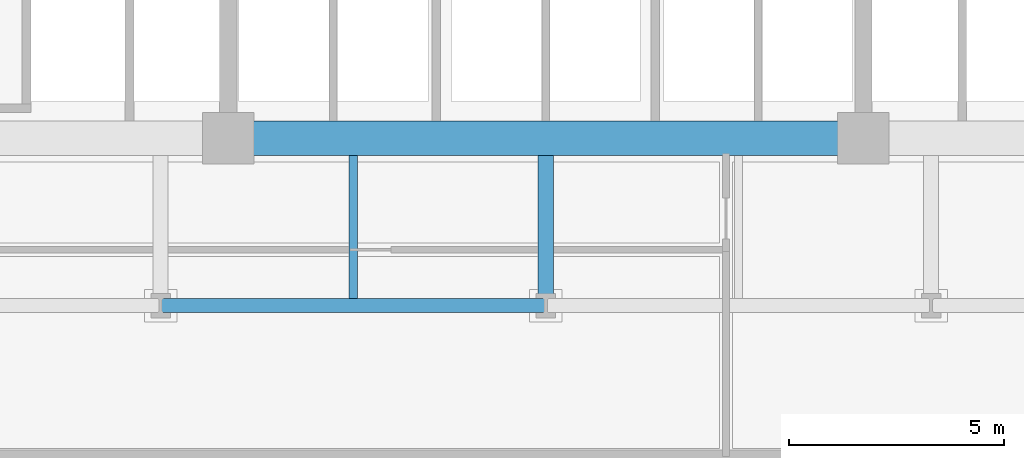
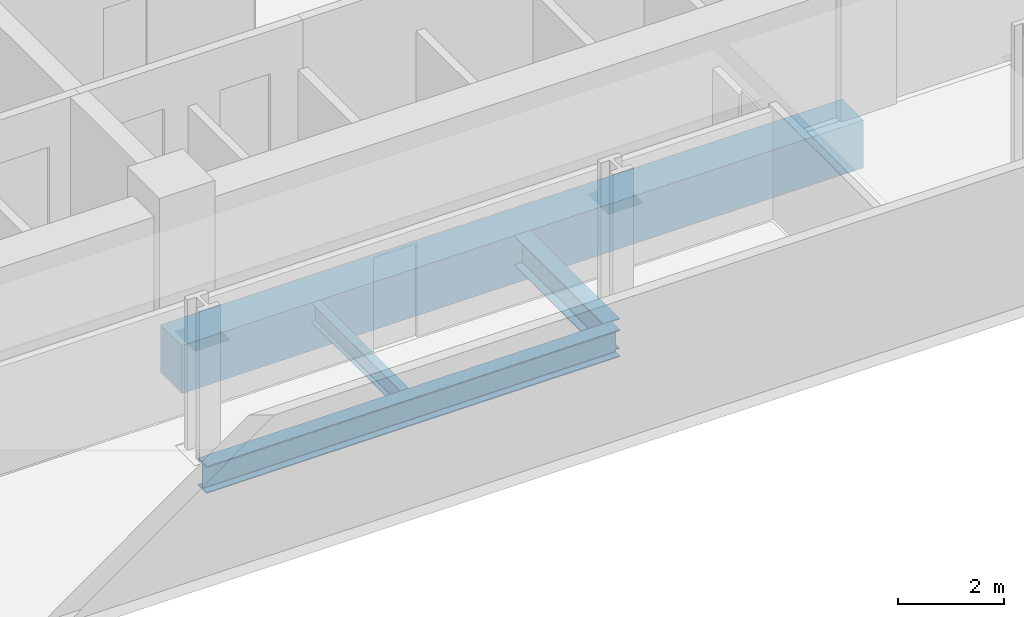
# One storey, part 3 of 21: 4 beams.
"""IFC4 building model written with IfcOpenShell, lengths in metres."""

from ifc_helpers import new_model, si_unit, direction, frame, origin, origin_2d, place, context, subcontext, project, spatial, rectangle, i_section, extrude, material, material_profile, profile_set, type_object, element, save


model = new_model("IFC4")

# Units and contexts
model_context = context("Model", 3, precision=1e-05, world=origin(), true_north=direction((0.0, 1.0)))
body_context = subcontext(model_context, "Body", "Model", "MODEL_VIEW")
ifc_project = project(units=[si_unit("LENGTHUNIT", "METRE"), si_unit("AREAUNIT", "SQUARE_METRE"), si_unit("VOLUMEUNIT", "CUBIC_METRE"), si_unit("PLANEANGLEUNIT", "RADIAN"), si_unit("MASSUNIT", "GRAM", prefix="KILO")], contexts=[model_context])

# Site, building, storey
site_placement = place(None, origin())
site = spatial("IfcSite", under=ifc_project, at=site_placement, CompositionType="ELEMENT")
building_placement = place(site_placement, origin())
building = spatial("IfcBuilding", under=site, at=building_placement, Name="Solmavex Isthmus Hotel", CompositionType="ELEMENT")
storey_placement = place(building_placement, frame((0.0, 0.0, 54.0)))
storey = spatial("IfcBuildingStorey", under=building, at=storey_placement, Name="L14", CompositionType="ELEMENT", Elevation=54.0)

# Beams
ifc_material_1 = material(Name="Steel ASTM A992 Grade 50", Category="steel")
ifc_material_profile_1 = material_profile(ifc_material_1, i_section(OverallWidth=0.354736328125, OverallDepth=0.695556640625, WebThickness=0.015380859375, FlangeThickness=0.02490234375, FilletRadius=0.017822265625, at=origin_2d()), Name="W27X146")
ifc_profile_set_1 = profile_set([ifc_material_profile_1], Name="Steel ASTM A992 Grade 50")
beam_type_1 = type_object("IfcBeamType", Name="BM-BG-W27X146", PredefinedType="BEAM", material=ifc_profile_set_1)
beam_1_placement = place(storey_placement, frame((0.0, -16.73681640625, -0.607666015625), z_axis=(0.0, 1.0, 0.0), x_axis=(-1.0, 0.0, 0.0)))
element("IfcBeam", 1, at=beam_1_placement, inside=storey, type_object=beam_type_1, Name="Floor Beam L14-VG35", PredefinedType="BEAM", context=body_context, shape_type="SweptSolid", body=[
    extrude(i_section(OverallWidth=0.354736328125, OverallDepth=0.695556640625, WebThickness=0.015380859375, FlangeThickness=0.02490234375, FilletRadius=0.017822265625, at=origin_2d()), origin(), (0.0, 0.0, 1.0), 3.3369140625),
])
ifc_material_profile_2 = material_profile(ifc_material_1, i_section(OverallWidth=0.1904296875, OverallDepth=0.456787109375, WebThickness=0.009033203125, FlangeThickness=0.014404296875, FilletRadius=0.0126953125, at=origin_2d()), Name="W18X50")
ifc_profile_set_2 = profile_set([ifc_material_profile_2], Name="Steel ASTM A992 Grade 50")
beam_type_2 = type_object("IfcBeamType", Name="BM-BJ-W18X50", PredefinedType="JOIST", material=ifc_profile_set_2)
beam_2_placement = place(storey_placement, frame((-4.488037109375, -16.73681640625, -0.488525390625), z_axis=(0.0, 1.0, 0.0), x_axis=(-1.0, 0.0, 0.0)))
element("IfcBeam", 2, at=beam_2_placement, inside=storey, type_object=beam_type_2, Name="Secondary Floor Joist L14-J08", PredefinedType="JOIST", context=body_context, shape_type="SweptSolid", body=[
    extrude(i_section(OverallWidth=0.1904296875, OverallDepth=0.456787109375, WebThickness=0.009033203125, FlangeThickness=0.014404296875, FilletRadius=0.0126953125, at=origin_2d()), origin(), (0.0, 0.0, 1.0), 3.3369140625),
])
ifc_material_2 = material(Name="Concrete C70/85", Category="concrete")
ifc_material_profile_3 = material_profile(ifc_material_2, rectangle(XDim=0.800048828125, YDim=1.10009765625, at=origin_2d()), Name="RC800X1100")
ifc_profile_set_3 = profile_set([ifc_material_profile_3], Name="Concrete C70/85")
beam_type_3 = type_object("IfcBeamType", Name="BM-CB-800X1100", PredefinedType="BEAM", material=ifc_profile_set_3)
beam_3_placement = place(storey_placement, frame((-7.39990234375, -13.0, -0.81005859375), z_axis=(1.0, 0.0, 0.0), x_axis=(0.0, 1.0, 0.0)))
element("IfcBeam", 3, at=beam_3_placement, inside=storey, type_object=beam_type_3, Name="Core Coupling Beam L14-CB2", PredefinedType="BEAM", context=body_context, shape_type="SweptSolid", body=[
    extrude(rectangle(XDim=0.800048828125, YDim=1.10009765625, at=origin_2d()), origin(), (0.0, 0.0, 1.0), 14.7998046875),
])
ifc_material_profile_4 = material_profile(ifc_material_1, i_section(OverallWidth=0.326416015625, OverallDepth=0.621826171875, WebThickness=0.015380859375, FlangeThickness=0.0244140625, FilletRadius=0.01513671875, at=origin_2d()), Name="W24X131")
ifc_profile_set_4 = profile_set([ifc_material_profile_4], Name="Steel ASTM A992 Grade 50")
beam_type_4 = type_object("IfcBeamType", Name="BM-SP-W24X131", PredefinedType="SPANDREL", material=ifc_profile_set_4)
beam_4_placement = place(storey_placement, frame((-8.97607421875, -16.89990234375, -0.57080078125), z_axis=(1.0, 0.0, 0.0), x_axis=(0.0, 1.0, 0.0)))
element("IfcBeam", 4, at=beam_4_placement, inside=storey, type_object=beam_type_4, Name="Floor Girder L14-UG03", PredefinedType="SPANDREL", context=body_context, shape_type="SweptSolid", body=[
    extrude(i_section(OverallWidth=0.326416015625, OverallDepth=0.621826171875, WebThickness=0.015380859375, FlangeThickness=0.0244140625, FilletRadius=0.01513671875, at=origin_2d()), origin(), (0.0, 0.0, 1.0), 8.97607421875),
])

save(model, "model.ifc")
